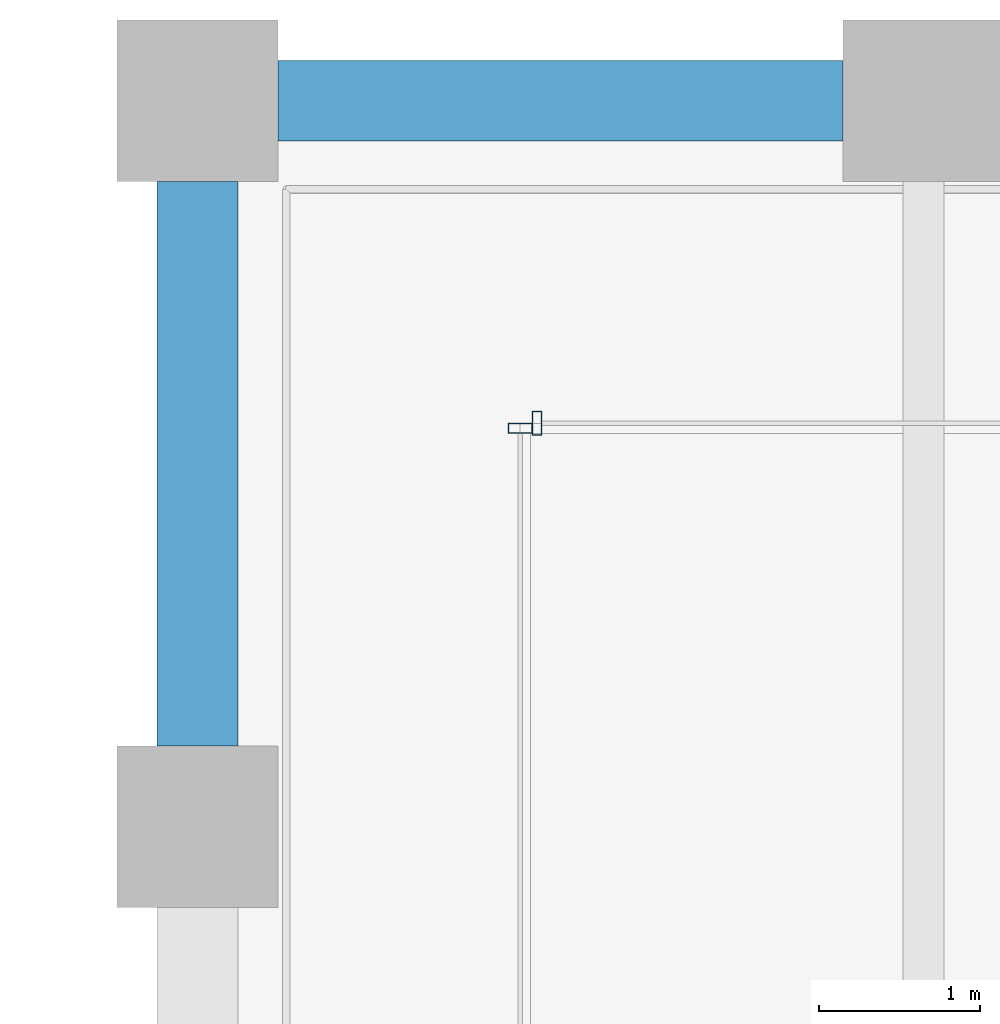
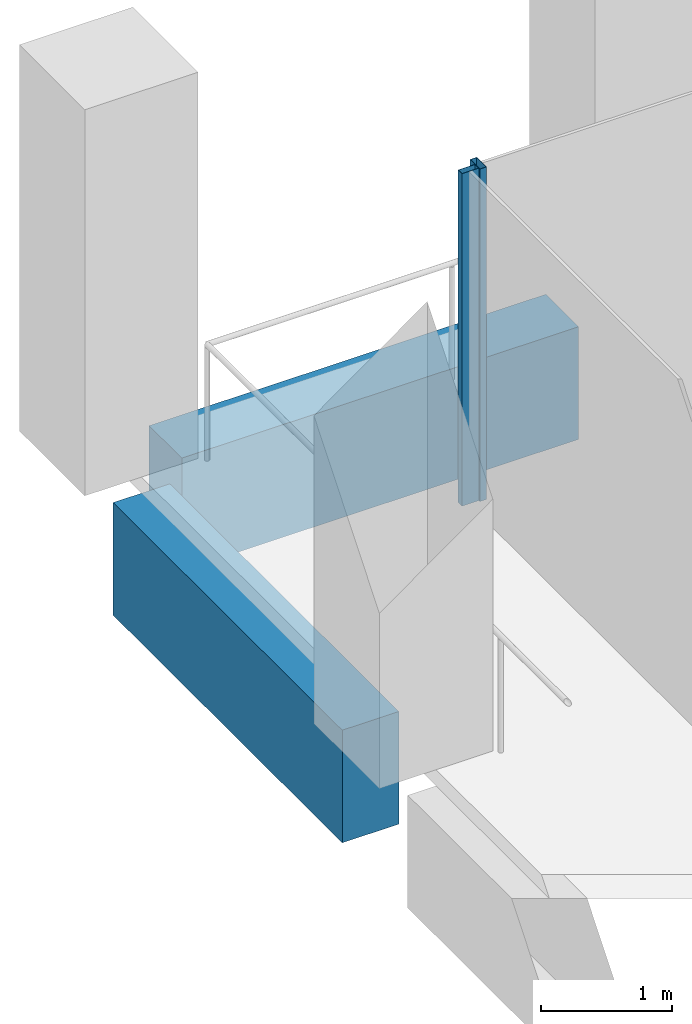
# One storey, part 21 of 46: 2 beams, 2 members, 2 elements without a shape of their own.
"""IFC4 building model written with IfcOpenShell, lengths in metres."""

from ifc_helpers import new_model, si_unit, direction, frame, origin, origin_2d, place, context, subcontext, project, spatial, rectangle, hollow_rectangle, extrude, material, material_profile, profile_set, type_object, element, aggregate, save


model = new_model("IFC4")

# Units and contexts
model_context = context("Model", 3, precision=1e-05, world=origin(), true_north=direction((0.0, 1.0)))
body_context = subcontext(model_context, "Body", "Model", "MODEL_VIEW")
ifc_project = project(units=[si_unit("LENGTHUNIT", "METRE"), si_unit("AREAUNIT", "SQUARE_METRE"), si_unit("VOLUMEUNIT", "CUBIC_METRE"), si_unit("PLANEANGLEUNIT", "RADIAN"), si_unit("MASSUNIT", "GRAM", prefix="KILO")], contexts=[model_context])

# Site, building, storey
site_placement = place(None, origin())
site = spatial("IfcSite", under=ifc_project, at=site_placement, CompositionType="ELEMENT")
building_placement = place(site_placement, origin())
building = spatial("IfcBuilding", under=site, at=building_placement, Name="Altepetl Exchange Towers", CompositionType="ELEMENT")
storey_placement = place(building_placement, frame((0.0, 0.0, 131.60009765625)))
storey = spatial("IfcBuildingStorey", under=building, at=storey_placement, Name="L32", CompositionType="ELEMENT", Elevation=131.60009765625)

# Curtain wall, member
ifc_material_1 = material(Name="Aluminium 6063-T6 glazing", Category="aluminium")
curtain_wall_type = type_object("IfcCurtainWallType", Name="Loggia glazing system", PredefinedType="NOTDEFINED", material=ifc_material_1)
curtain_wall_1_placement = place(storey_placement, origin())
curtain_wall_1 = element("IfcCurtainWall", 1, at=curtain_wall_1_placement, inside=storey, type_object=curtain_wall_type, Name="CW1 run", PredefinedType="NOTDEFINED")
ifc_material_2 = material(Name="Aluminium 6063-T6", Category="aluminium")
ifc_material_profile_1 = material_profile(ifc_material_2, hollow_rectangle(XDim=0.06005859375, YDim=0.14990234375, WallThickness=0.0029296875, at=origin_2d()), Name="Mullion 60x150 aluminium")
ifc_profile_set_1 = profile_set([ifc_material_profile_1], Name="Aluminium 6063-T6")
member_type = type_object("IfcMemberType", Name="Mullion 60x150 aluminium", PredefinedType="MULLION", material=ifc_profile_set_1)
member_1_placement = place(storey_placement, frame((42.60498046875, 70.0, 0.0), z_axis=(0.0, 0.0, 1.0), x_axis=(-1.0, 0.0, 0.0)))
member_1 = element("IfcMember", 2, at=member_1_placement, type_object=member_type, Name="MU1 mullion", PredefinedType="MULLION", context=body_context, shape_type="SweptSolid", body=[
    extrude(hollow_rectangle(XDim=0.06005859375, YDim=0.14990234375, WallThickness=0.0029296875, at=origin_2d()), origin(), (0.0, 0.0, 1.0), 3.099853515625),
])
aggregate(curtain_wall_1, [member_1])

curtain_wall_2_placement = place(storey_placement, origin())
curtain_wall_2 = element("IfcCurtainWall", 3, at=curtain_wall_2_placement, inside=storey, type_object=curtain_wall_type, Name="CW1 run", PredefinedType="NOTDEFINED")
member_2_placement = place(storey_placement, frame((42.5, 69.969970703125, 0.0), z_axis=(0.0, 0.0, 1.0), x_axis=(0.0, -1.0, 0.0)))
member_2 = element("IfcMember", 4, at=member_2_placement, type_object=member_type, Name="MU1 mullion", PredefinedType="MULLION", context=body_context, shape_type="SweptSolid", body=[
    extrude(hollow_rectangle(XDim=0.06005859375, YDim=0.14990234375, WallThickness=0.0029296875, at=origin_2d()), origin(), (0.0, 0.0, 1.0), 3.099853515625),
])
aggregate(curtain_wall_2, [member_2])

# Beams
ifc_material_3 = material(Name="Concrete C50/60 precast with cantera rosa facing", Category="concrete")
ifc_material_profile_2 = material_profile(ifc_material_3, rectangle(XDim=0.5, YDim=1.050048828125, at=origin_2d()), Name="500 x 1050")
ifc_profile_set_2 = profile_set([ifc_material_profile_2], Name="Concrete C50/60 precast with cantera rosa facing")
beam_type_1 = type_object("IfcBeamType", Name="Spandrel beam 500x1050 cantera rosa", PredefinedType="SPANDREL", material=ifc_profile_set_2)
beam_1_placement = place(storey_placement, frame((44.5, 72.0, -0.675048828125), z_axis=(-1.0, 0.0, 0.0), x_axis=(0.0, -1.0, 0.0)))
element("IfcBeam", 5, at=beam_1_placement, inside=storey, type_object=beam_type_1, Name="sp:A:L32:029", PredefinedType="SPANDREL", context=body_context, shape_type="SweptSolid", body=[
    extrude(rectangle(XDim=0.5, YDim=1.050048828125, at=origin_2d()), origin(), (0.0, 0.0, 1.0), 3.5),
])
ifc_material_4 = material(Name="Concrete C50/60 precast with tezontle facing", Category="concrete")
ifc_material_profile_3 = material_profile(ifc_material_4, rectangle(XDim=0.5, YDim=1.050048828125, at=origin_2d()), Name="500 x 1050")
ifc_profile_set_3 = profile_set([ifc_material_profile_3], Name="Concrete C50/60 precast with tezontle facing")
beam_type_2 = type_object("IfcBeamType", Name="Spandrel beam 500x1050 tezontle", PredefinedType="SPANDREL", material=ifc_profile_set_3)
beam_2_placement = place(storey_placement, frame((40.5, 71.5, -0.675048828125), z_axis=(0.0, -1.0, 0.0), x_axis=(1.0, 0.0, 0.0)))
element("IfcBeam", 6, at=beam_2_placement, inside=storey, type_object=beam_type_2, Name="sp:A:L32:030", PredefinedType="SPANDREL", context=body_context, shape_type="SweptSolid", body=[
    extrude(rectangle(XDim=0.5, YDim=1.050048828125, at=origin_2d()), origin(), (0.0, 0.0, 1.0), 3.5),
])

save(model, "model.ifc")
